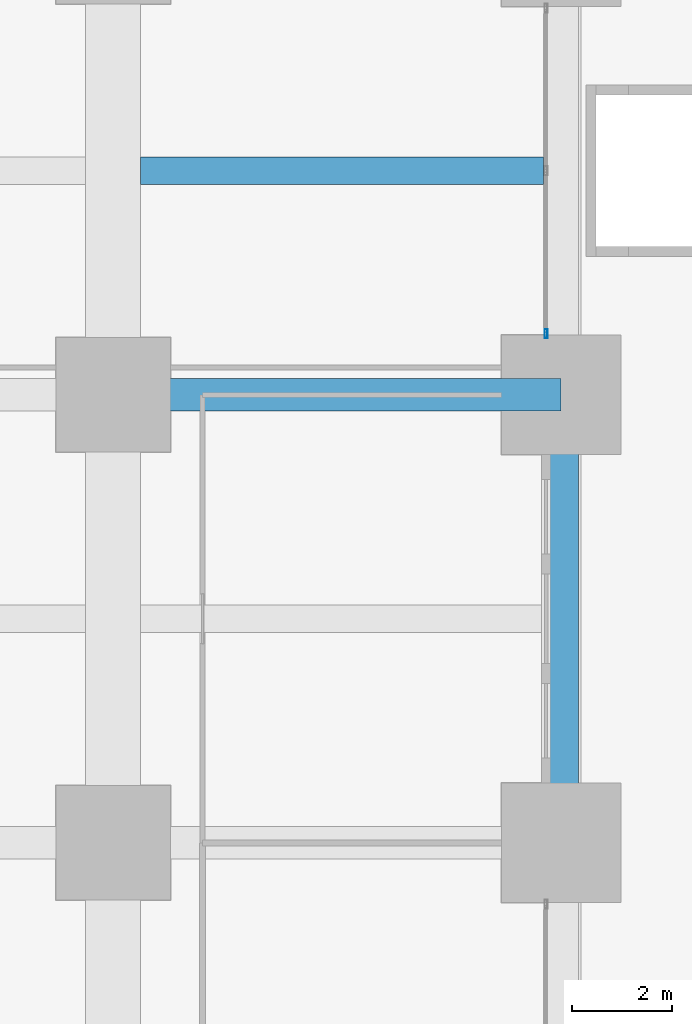
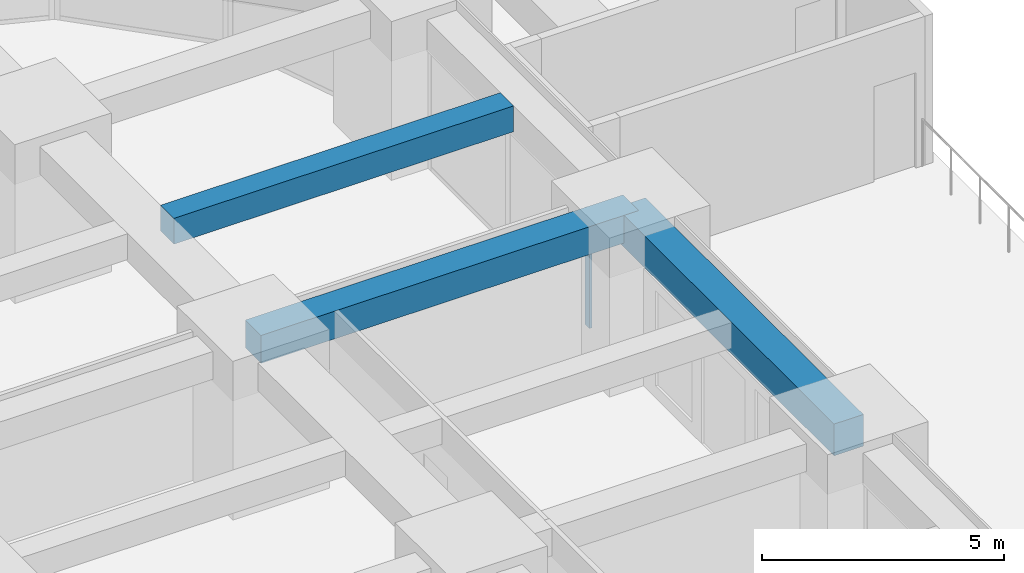
# One storey, part 27 of 38: 3 beams, 1 member, 1 element without a shape of its own.
"""IFC4 building model written with IfcOpenShell, lengths in metres."""

import ifcopenshell
import ifcopenshell.guid

model = None  # the IFC model being written
_history = None  # IfcOwnerHistory: only IFC2X3 demands one
_inside = {}  # id of a spatial element -> (the spatial element, [elements in it])
_under = {}  # id of a project, library or spatial element -> (it, [spatial elements below it])
_declared = {}  # id of a project -> (the project, [libraries it declares])
_typed = {}  # id of a type object -> (the type object, [elements of that type])
_made_of = {}  # id of a material, layer set ... -> (it, [elements and type objects made of it])


def new_model(schema):
    """Start an empty IFC model of exactly this schema.

    Asked for "IFC4X3", IfcOpenShell would pick the latest addendum, in which some entities
    have other attributes; the version numbers below select the first issue.
    IFC2X3 requires an IfcOwnerHistory on every rooted entity: one is made here for all.
    """
    global model, _history
    if schema == "IFC4X3":
        model = ifcopenshell.file(schema_version=(4, 3, 0, 0))
    else:
        model = ifcopenshell.file(schema=schema)
    _inside.clear()
    _under.clear()
    _declared.clear()
    _typed.clear()
    _made_of.clear()
    _history = None
    if model.schema == "IFC2X3":
        org = make("IfcOrganization", Name="unknown")
        user = make(
            "IfcPersonAndOrganization",
            ThePerson=make("IfcPerson", FamilyName="unknown"),
            TheOrganization=org,
        )
        app = make(
            "IfcApplication",
            ApplicationDeveloper=org,
            Version="unknown",
            ApplicationFullName="unknown",
            ApplicationIdentifier="unknown",
        )
        _history = make(
            "IfcOwnerHistory",
            OwningUser=user,
            OwningApplication=app,
            ChangeAction="ADDED",
            CreationDate=0,
        )
    return model


def make(cls, **values):
    """One entity of the class cls with the attributes given. An attribute that is None is left unset."""
    return model.create_entity(
        cls, **{name: value for name, value in values.items() if value is not None}
    )


def rooted(cls, **values):
    """An entity with a GlobalId (a new one), such as an element, a storey or a relation."""
    return make(cls, GlobalId=ifcopenshell.guid.new(), OwnerHistory=_history, **values)


def si_unit(unit_type, name, prefix=None):
    """IfcSIUnit, for example si_unit("LENGTHUNIT", "METRE", prefix="MILLI")."""
    return make("IfcSIUnit", UnitType=unit_type, Prefix=prefix, Name=name)


def assignment(units):
    """IfcUnitAssignment: the units of a project."""
    return None if units is None else make("IfcUnitAssignment", Units=units)


def point(xyz):
    """IfcCartesianPoint."""
    return None if xyz is None else make("IfcCartesianPoint", Coordinates=xyz)


def direction(xyz):
    """IfcDirection."""
    return None if xyz is None else make("IfcDirection", DirectionRatios=xyz)


def frame(location, z_axis=None, x_axis=None):
    """IfcAxis2Placement3D, a coordinate frame: its origin and axes. An axis left out is left unset."""
    return make(
        "IfcAxis2Placement3D",
        Location=point(location),
        Axis=direction(z_axis),
        RefDirection=direction(x_axis),
    )


def frame_2d(location, x_axis=None):
    """IfcAxis2Placement2D, a coordinate frame in the plane: its origin and x axis."""
    return make(
        "IfcAxis2Placement2D", Location=point(location), RefDirection=direction(x_axis)
    )


def origin():
    """The frame at (0, 0, 0) with its axes left unset."""
    return frame((0.0, 0.0, 0.0))


def origin_2d():
    """The frame at (0, 0) in the plane with its x axis left unset."""
    return frame_2d((0.0, 0.0))


def place(relative_to, where):
    """IfcLocalPlacement: puts the frame where relative to a parent placement (None: the world)."""
    return make(
        "IfcLocalPlacement", PlacementRelTo=relative_to, RelativePlacement=where
    )


def context(
    kind, dimensions, precision=None, world=None, true_north=None, identifier=None
):
    """IfcGeometricRepresentationContext, for example the 3D "Model" context."""
    return make(
        "IfcGeometricRepresentationContext",
        ContextIdentifier=identifier,
        ContextType=kind,
        CoordinateSpaceDimension=dimensions,
        Precision=precision,
        WorldCoordinateSystem=world,
        TrueNorth=true_north,
    )


def subcontext(parent, identifier, kind, view, scale=None):
    """IfcGeometricRepresentationSubContext, for example "Body" below "Model"."""
    return make(
        "IfcGeometricRepresentationSubContext",
        ContextIdentifier=identifier,
        ContextType=kind,
        ParentContext=parent,
        TargetScale=scale,
        TargetView=view,
    )


def project(units=None, contexts=None):
    """IfcProject with its units and contexts."""
    return rooted(
        "IfcProject",
        Name="project",
        RepresentationContexts=contexts,
        UnitsInContext=assignment(units),
    )


def spatial(cls, under=None, at=None, **own):
    """A site, building, storey or space (cls), placed at a placement, below another one or the project."""
    s = rooted(cls, ObjectPlacement=at, **own)
    if under is not None:
        _under.setdefault(under.id(), (under, []))[1].append(s)
    return s


def profile(cls, at=None, kind="AREA", **sizes):
    """A parametric profile (cls). Its sizes go by their IFC names, for example OverallWidth=200.0."""
    return make(cls, ProfileType=kind, Position=at, **sizes)


def rectangle(**sizes):
    """IfcRectangleProfileDef."""
    return profile("IfcRectangleProfileDef", **sizes)


def hollow_rectangle(**sizes):
    """IfcRectangleHollowProfileDef."""
    return profile("IfcRectangleHollowProfileDef", **sizes)


def extrude(swept, where, along, depth):
    """IfcExtrudedAreaSolid: the profile swept, set in the frame where, extruded along a direction by depth."""
    return make(
        "IfcExtrudedAreaSolid",
        SweptArea=swept,
        Position=where,
        ExtrudedDirection=direction(along),
        Depth=depth,
    )


def shape(context_of_items, identifier, shape_type, items):
    """IfcShapeRepresentation: the items that make up one representation, for example the "Body"."""
    return make(
        "IfcShapeRepresentation",
        ContextOfItems=context_of_items,
        RepresentationIdentifier=identifier,
        RepresentationType=shape_type,
        Items=items,
    )


def material(Name=None, Category=None):
    """IfcMaterial."""
    return make("IfcMaterial", Name=Name, Category=Category)


def material_profile(
    of_material, cross_section, Name=None, Category=None, Priority=None
):
    """IfcMaterialProfile: a cross section and its material."""
    return make(
        "IfcMaterialProfile",
        Name=Name,
        Material=of_material,
        Profile=cross_section,
        Priority=Priority,
        Category=Category,
    )


def profile_set(profiles, Name=None, composite=None):
    """IfcMaterialProfileSet."""
    return make(
        "IfcMaterialProfileSet",
        Name=Name,
        MaterialProfiles=profiles,
        CompositeProfile=composite,
    )


def made_of(thing, what):
    """Note that an element or type object is made of a material, layer set ...; save() writes the relation."""
    if what is not None:
        _made_of.setdefault(what.id(), (what, []))[1].append(thing)
    return thing


def type_object(cls, material=None, **own):
    """A type object (cls), such as IfcWallType, which elements share."""
    return made_of(rooted(cls, **own), material)


def element(
    cls,
    number,
    at=None,
    inside=None,
    cuts=None,
    type_object=None,
    material=None,
    context=None,
    identifier="Body",
    shape_type=None,
    held_by="IfcProductDefinitionShape",
    body=None,
    shapes=None,
    **own,
):
    """One element of the class cls, such as IfcWall. Its Tag is "e" and its number.

    at: its placement. inside: the storey or other place that contains it. cuts: it is an
    opening in that element (IfcRelVoidsElement). A single representation is given by context,
    identifier, shape_type and body (its items); several are given by shapes. held_by: the class
    of the entity that holds the representations. save() writes the other relations.
    """
    e = rooted(cls, Tag="e%d" % number, ObjectPlacement=at, **own)
    if body is not None:
        shapes = [shape(context, identifier, shape_type, body)]
    if shapes is not None:
        e.Representation = make(held_by, Representations=shapes)
    if inside is not None:
        _inside.setdefault(inside.id(), (inside, []))[1].append(e)
    if cuts is not None:
        rooted(
            "IfcRelVoidsElement", RelatingBuildingElement=cuts, RelatedOpeningElement=e
        )
    if type_object is not None:
        _typed.setdefault(type_object.id(), (type_object, []))[1].append(e)
    return made_of(e, material)


def aggregate(whole, parts):
    """IfcRelAggregates: a whole, such as a stair, and the parts it consists of."""
    return rooted("IfcRelAggregates", RelatingObject=whole, RelatedObjects=parts)


def save(model, path):
    """Write the relations noted so far, then the file.

    IfcRelAggregates (storeys below a building ...), IfcRelContainedInSpatialStructure (elements
    in a storey), IfcRelDefinesByType, IfcRelAssociatesMaterial and IfcRelDeclares: one each for
    every whole, place, type object, material and project.
    """
    for whole, parts in _under.values():
        aggregate(whole, parts)
    for where, things in _inside.values():
        rooted(
            "IfcRelContainedInSpatialStructure",
            RelatedElements=things,
            RelatingStructure=where,
        )
    for kind, things in _typed.values():
        rooted("IfcRelDefinesByType", RelatedObjects=things, RelatingType=kind)
    for what, things in _made_of.values():
        rooted("IfcRelAssociatesMaterial", RelatedObjects=things, RelatingMaterial=what)
    for by, libraries in _declared.values():
        rooted("IfcRelDeclares", RelatingContext=by, RelatedDefinitions=libraries)
    model.write(path)


model = new_model("IFC4")

# Units and contexts
model_context = context("Model", 3, precision=1e-05, world=origin(), true_north=direction((0.0, 1.0)))
body_context = subcontext(model_context, "Body", "Model", "MODEL_VIEW")
ifc_project = project(units=[si_unit("LENGTHUNIT", "METRE"), si_unit("AREAUNIT", "SQUARE_METRE"), si_unit("VOLUMEUNIT", "CUBIC_METRE"), si_unit("PLANEANGLEUNIT", "RADIAN"), si_unit("MASSUNIT", "GRAM", prefix="KILO")], contexts=[model_context])

# Site, building, storey
site_placement = place(None, origin())
site = spatial("IfcSite", under=ifc_project, at=site_placement, CompositionType="ELEMENT")
building_placement = place(site_placement, origin())
building = spatial("IfcBuilding", under=site, at=building_placement, Name="Zorevar Civic Tower", CompositionType="ELEMENT")
storey_placement = place(building_placement, frame((0.0, 0.0, 15.800048828125)))
storey = spatial("IfcBuildingStorey", under=building, at=storey_placement, Name="L03", CompositionType="ELEMENT", Elevation=15.800048828125)

# Beams
ifc_material_1 = material(Name="Concrete C50/60", Category="concrete")
ifc_material_profile_1 = material_profile(ifc_material_1, rectangle(XDim=0.550048828125, YDim=0.64990234375, at=origin_2d()), Name="RC 550x650")
ifc_profile_set_1 = profile_set([ifc_material_profile_1], Name="Concrete C50/60")
beam_type_1 = type_object("IfcBeamType", Name="Beam RC 550x650", PredefinedType="BEAM", material=ifc_profile_set_1)
beam_1_placement = place(storey_placement, frame((54.550048828125, 40.5, 3.425048828125), z_axis=(1.0, 0.0, 0.0), x_axis=(0.0, 1.0, 0.0)))
element("IfcBeam", 1, at=beam_1_placement, inside=storey, type_object=beam_type_1, Name="Secondary beam L04", PredefinedType="BEAM", context=body_context, shape_type="SweptSolid", body=[
    extrude(rectangle(XDim=0.550048828125, YDim=0.64990234375, at=origin_2d()), origin(), (0.0, 0.0, 1.0), 8.099853515625),
])
ifc_material_2 = material(Name="Concrete C50/60", Category="concrete")
ifc_material_profile_2 = material_profile(ifc_material_2, rectangle(XDim=0.64990234375, YDim=0.699951171875, at=origin_2d()), Name="RC 650x700")
ifc_profile_set_2 = profile_set([ifc_material_profile_2], Name="Concrete C50/60")
beam_type_2 = type_object("IfcBeamType", Name="Beam RC 650x700", PredefinedType="BEAM", material=ifc_profile_set_2)
beam_2_placement = place(storey_placement, frame((54.0, 36.0, 3.39990234375), z_axis=(1.0, 0.0, 0.0), x_axis=(0.0, 1.0, 0.0)))
element("IfcBeam", 2, at=beam_2_placement, inside=storey, type_object=beam_type_2, Name="Girder L04", PredefinedType="BEAM", context=body_context, shape_type="SweptSolid", body=[
    extrude(rectangle(XDim=0.64990234375, YDim=0.699951171875, at=origin_2d()), origin(), (0.0, 0.0, 1.0), 9.0),
])

# Curtain wall, member
ifc_material_3 = material(Name="Dark grey solar-control glass in black aluminium frame", Category="aluminium")
curtain_wall_type = type_object("IfcCurtainWallType", Name="Curtain wall CW2 low zone", PredefinedType="NOTDEFINED", material=ifc_material_3)
curtain_wall_placement = place(storey_placement, origin())
curtain_wall = element("IfcCurtainWall", 3, at=curtain_wall_placement, inside=storey, type_object=curtain_wall_type, Name="CW2 L03", PredefinedType="NOTDEFINED")
ifc_material_4 = material(Name="Aluminium, black anodised", Category="aluminium")
ifc_material_profile_3 = material_profile(ifc_material_4, hollow_rectangle(XDim=0.06005859375, YDim=0.179931640625, WallThickness=0.00390625, at=origin_2d()), Name="AL 180x60x4")
ifc_profile_set_3 = profile_set([ifc_material_profile_3], Name="Aluminium, black anodised")
member_type = type_object("IfcMemberType", Name="CW2 mullion AL 180x60x4", PredefinedType="MULLION", material=ifc_profile_set_3)
member_placement = place(storey_placement, frame((62.699951171875, 37.22998046875, 0.0), z_axis=(0.0, 0.0, 1.0), x_axis=(-1.0, 0.0, 0.0)))
member = element("IfcMember", 4, at=member_placement, type_object=member_type, Name="CW2 mullion 1", PredefinedType="MULLION", context=body_context, shape_type="SweptSolid", body=[
    extrude(hollow_rectangle(XDim=0.06005859375, YDim=0.179931640625, WallThickness=0.00390625, at=origin_2d()), origin(), (0.0, 0.0, 1.0), 2.949951171875),
])
aggregate(curtain_wall, [member])

# Beam
ifc_material_5 = material(Name="Concrete C50/60", Category="concrete")
ifc_material_profile_4 = material_profile(ifc_material_5, rectangle(XDim=0.699951171875, YDim=0.800048828125, at=origin_2d()), Name="RC 700x800")
ifc_profile_set_4 = profile_set([ifc_material_profile_4], Name="Concrete C50/60")
beam_type_3 = type_object("IfcBeamType", Name="Edge beam RC 700x800", PredefinedType="SPANDREL", material=ifc_profile_set_4)
beam_3_placement = place(storey_placement, frame((63.0, 27.0, 3.349853515625), z_axis=(0.0, 1.0, 0.0), x_axis=(-1.0, 0.0, 0.0)))
element("IfcBeam", 5, at=beam_3_placement, inside=storey, type_object=beam_type_3, Name="Edge beam L04", PredefinedType="SPANDREL", context=body_context, shape_type="SweptSolid", body=[
    extrude(rectangle(XDim=0.699951171875, YDim=0.800048828125, at=origin_2d()), origin(), (0.0, 0.0, 1.0), 9.0),
])

save(model, "model.ifc")
